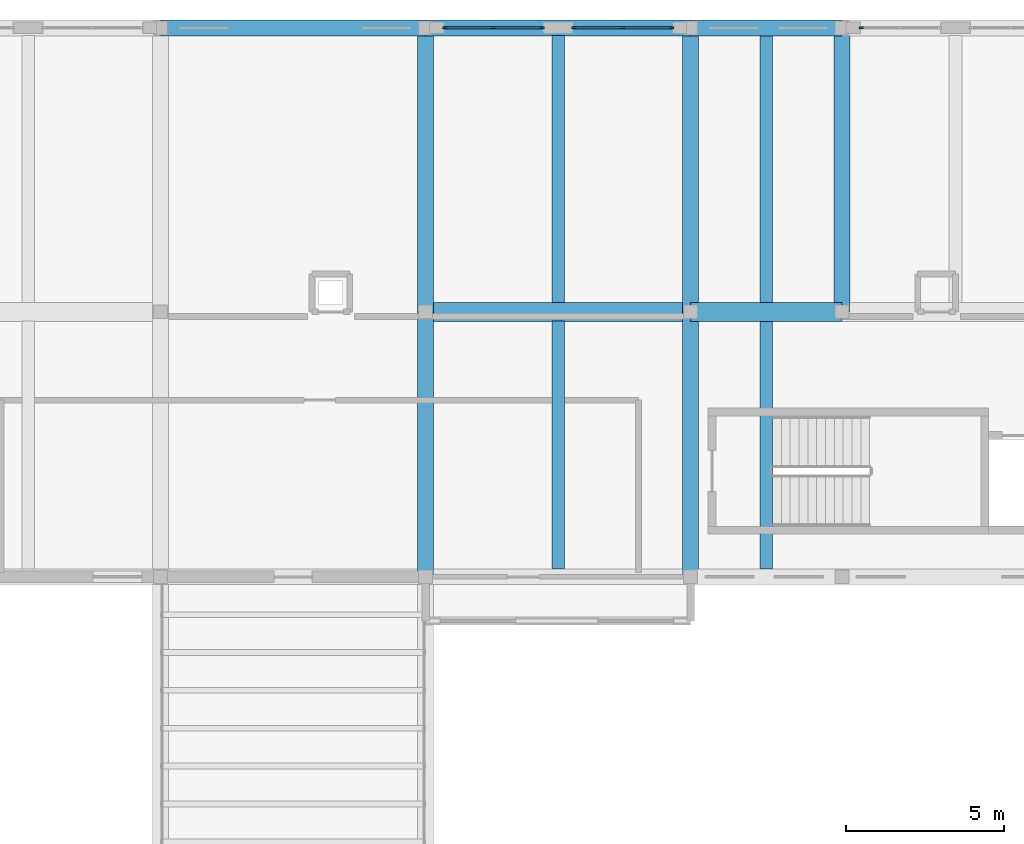
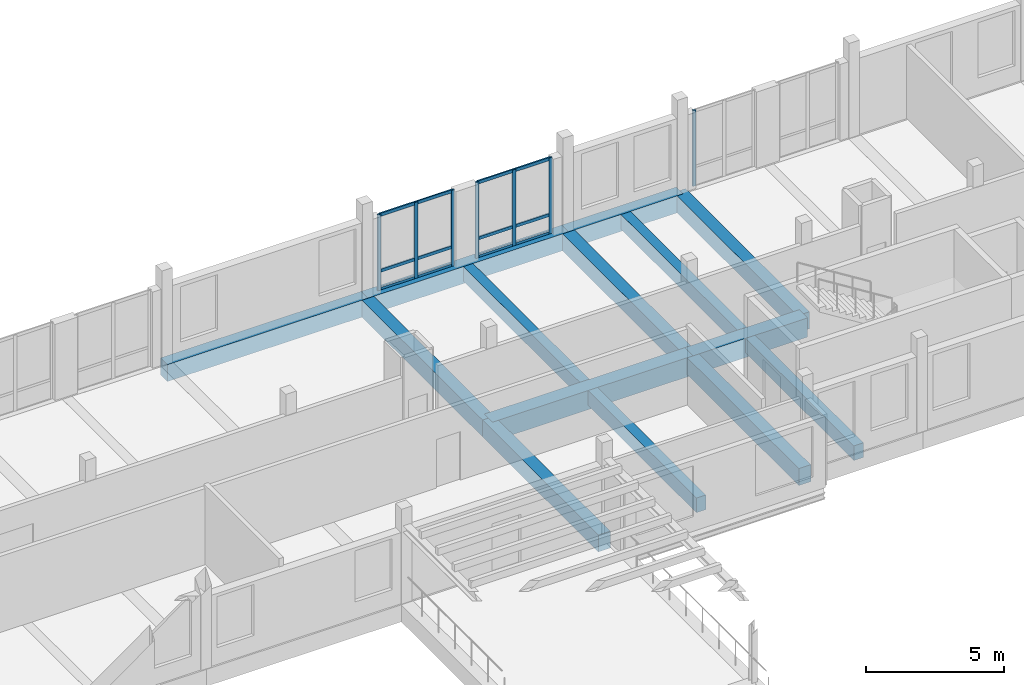
# One storey, part 36 of 99: 14 beams, 13 members, 3 elements without a shape of their own.
"""IFC4 building model written with IfcOpenShell, lengths in metres."""

import ifcopenshell
import ifcopenshell.guid

model = None  # the IFC model being written
_history = None  # IfcOwnerHistory: only IFC2X3 demands one
_inside = {}  # id of a spatial element -> (the spatial element, [elements in it])
_under = {}  # id of a project, library or spatial element -> (it, [spatial elements below it])
_declared = {}  # id of a project -> (the project, [libraries it declares])
_typed = {}  # id of a type object -> (the type object, [elements of that type])
_made_of = {}  # id of a material, layer set ... -> (it, [elements and type objects made of it])


def new_model(schema):
    """Start an empty IFC model of exactly this schema.

    Asked for "IFC4X3", IfcOpenShell would pick the latest addendum, in which some entities
    have other attributes; the version numbers below select the first issue.
    IFC2X3 requires an IfcOwnerHistory on every rooted entity: one is made here for all.
    """
    global model, _history
    if schema == "IFC4X3":
        model = ifcopenshell.file(schema_version=(4, 3, 0, 0))
    else:
        model = ifcopenshell.file(schema=schema)
    _inside.clear()
    _under.clear()
    _declared.clear()
    _typed.clear()
    _made_of.clear()
    _history = None
    if model.schema == "IFC2X3":
        org = make("IfcOrganization", Name="unknown")
        user = make(
            "IfcPersonAndOrganization",
            ThePerson=make("IfcPerson", FamilyName="unknown"),
            TheOrganization=org,
        )
        app = make(
            "IfcApplication",
            ApplicationDeveloper=org,
            Version="unknown",
            ApplicationFullName="unknown",
            ApplicationIdentifier="unknown",
        )
        _history = make(
            "IfcOwnerHistory",
            OwningUser=user,
            OwningApplication=app,
            ChangeAction="ADDED",
            CreationDate=0,
        )
    return model


def make(cls, **values):
    """One entity of the class cls with the attributes given. An attribute that is None is left unset."""
    return model.create_entity(
        cls, **{name: value for name, value in values.items() if value is not None}
    )


def rooted(cls, **values):
    """An entity with a GlobalId (a new one), such as an element, a storey or a relation."""
    return make(cls, GlobalId=ifcopenshell.guid.new(), OwnerHistory=_history, **values)


def si_unit(unit_type, name, prefix=None):
    """IfcSIUnit, for example si_unit("LENGTHUNIT", "METRE", prefix="MILLI")."""
    return make("IfcSIUnit", UnitType=unit_type, Prefix=prefix, Name=name)


def assignment(units):
    """IfcUnitAssignment: the units of a project."""
    return None if units is None else make("IfcUnitAssignment", Units=units)


def point(xyz):
    """IfcCartesianPoint."""
    return None if xyz is None else make("IfcCartesianPoint", Coordinates=xyz)


def direction(xyz):
    """IfcDirection."""
    return None if xyz is None else make("IfcDirection", DirectionRatios=xyz)


def frame(location, z_axis=None, x_axis=None):
    """IfcAxis2Placement3D, a coordinate frame: its origin and axes. An axis left out is left unset."""
    return make(
        "IfcAxis2Placement3D",
        Location=point(location),
        Axis=direction(z_axis),
        RefDirection=direction(x_axis),
    )


def frame_2d(location, x_axis=None):
    """IfcAxis2Placement2D, a coordinate frame in the plane: its origin and x axis."""
    return make(
        "IfcAxis2Placement2D", Location=point(location), RefDirection=direction(x_axis)
    )


def origin():
    """The frame at (0, 0, 0) with its axes left unset."""
    return frame((0.0, 0.0, 0.0))


def origin_2d():
    """The frame at (0, 0) in the plane with its x axis left unset."""
    return frame_2d((0.0, 0.0))


def place(relative_to, where):
    """IfcLocalPlacement: puts the frame where relative to a parent placement (None: the world)."""
    return make(
        "IfcLocalPlacement", PlacementRelTo=relative_to, RelativePlacement=where
    )


def context(
    kind, dimensions, precision=None, world=None, true_north=None, identifier=None
):
    """IfcGeometricRepresentationContext, for example the 3D "Model" context."""
    return make(
        "IfcGeometricRepresentationContext",
        ContextIdentifier=identifier,
        ContextType=kind,
        CoordinateSpaceDimension=dimensions,
        Precision=precision,
        WorldCoordinateSystem=world,
        TrueNorth=true_north,
    )


def subcontext(parent, identifier, kind, view, scale=None):
    """IfcGeometricRepresentationSubContext, for example "Body" below "Model"."""
    return make(
        "IfcGeometricRepresentationSubContext",
        ContextIdentifier=identifier,
        ContextType=kind,
        ParentContext=parent,
        TargetScale=scale,
        TargetView=view,
    )


def project(units=None, contexts=None):
    """IfcProject with its units and contexts."""
    return rooted(
        "IfcProject",
        Name="project",
        RepresentationContexts=contexts,
        UnitsInContext=assignment(units),
    )


def spatial(cls, under=None, at=None, **own):
    """A site, building, storey or space (cls), placed at a placement, below another one or the project."""
    s = rooted(cls, ObjectPlacement=at, **own)
    if under is not None:
        _under.setdefault(under.id(), (under, []))[1].append(s)
    return s


def profile(cls, at=None, kind="AREA", **sizes):
    """A parametric profile (cls). Its sizes go by their IFC names, for example OverallWidth=200.0."""
    return make(cls, ProfileType=kind, Position=at, **sizes)


def rectangle(**sizes):
    """IfcRectangleProfileDef."""
    return profile("IfcRectangleProfileDef", **sizes)


def extrude(swept, where, along, depth):
    """IfcExtrudedAreaSolid: the profile swept, set in the frame where, extruded along a direction by depth."""
    return make(
        "IfcExtrudedAreaSolid",
        SweptArea=swept,
        Position=where,
        ExtrudedDirection=direction(along),
        Depth=depth,
    )


def shape(context_of_items, identifier, shape_type, items):
    """IfcShapeRepresentation: the items that make up one representation, for example the "Body"."""
    return make(
        "IfcShapeRepresentation",
        ContextOfItems=context_of_items,
        RepresentationIdentifier=identifier,
        RepresentationType=shape_type,
        Items=items,
    )


def material(Name=None, Category=None):
    """IfcMaterial."""
    return make("IfcMaterial", Name=Name, Category=Category)


def material_profile(
    of_material, cross_section, Name=None, Category=None, Priority=None
):
    """IfcMaterialProfile: a cross section and its material."""
    return make(
        "IfcMaterialProfile",
        Name=Name,
        Material=of_material,
        Profile=cross_section,
        Priority=Priority,
        Category=Category,
    )


def profile_set(profiles, Name=None, composite=None):
    """IfcMaterialProfileSet."""
    return make(
        "IfcMaterialProfileSet",
        Name=Name,
        MaterialProfiles=profiles,
        CompositeProfile=composite,
    )


def made_of(thing, what):
    """Note that an element or type object is made of a material, layer set ...; save() writes the relation."""
    if what is not None:
        _made_of.setdefault(what.id(), (what, []))[1].append(thing)
    return thing


def type_object(cls, material=None, **own):
    """A type object (cls), such as IfcWallType, which elements share."""
    return made_of(rooted(cls, **own), material)


def element(
    cls,
    number,
    at=None,
    inside=None,
    cuts=None,
    type_object=None,
    material=None,
    context=None,
    identifier="Body",
    shape_type=None,
    held_by="IfcProductDefinitionShape",
    body=None,
    shapes=None,
    **own,
):
    """One element of the class cls, such as IfcWall. Its Tag is "e" and its number.

    at: its placement. inside: the storey or other place that contains it. cuts: it is an
    opening in that element (IfcRelVoidsElement). A single representation is given by context,
    identifier, shape_type and body (its items); several are given by shapes. held_by: the class
    of the entity that holds the representations. save() writes the other relations.
    """
    e = rooted(cls, Tag="e%d" % number, ObjectPlacement=at, **own)
    if body is not None:
        shapes = [shape(context, identifier, shape_type, body)]
    if shapes is not None:
        e.Representation = make(held_by, Representations=shapes)
    if inside is not None:
        _inside.setdefault(inside.id(), (inside, []))[1].append(e)
    if cuts is not None:
        rooted(
            "IfcRelVoidsElement", RelatingBuildingElement=cuts, RelatedOpeningElement=e
        )
    if type_object is not None:
        _typed.setdefault(type_object.id(), (type_object, []))[1].append(e)
    return made_of(e, material)


def aggregate(whole, parts):
    """IfcRelAggregates: a whole, such as a stair, and the parts it consists of."""
    return rooted("IfcRelAggregates", RelatingObject=whole, RelatedObjects=parts)


def save(model, path):
    """Write the relations noted so far, then the file.

    IfcRelAggregates (storeys below a building ...), IfcRelContainedInSpatialStructure (elements
    in a storey), IfcRelDefinesByType, IfcRelAssociatesMaterial and IfcRelDeclares: one each for
    every whole, place, type object, material and project.
    """
    for whole, parts in _under.values():
        aggregate(whole, parts)
    for where, things in _inside.values():
        rooted(
            "IfcRelContainedInSpatialStructure",
            RelatedElements=things,
            RelatingStructure=where,
        )
    for kind, things in _typed.values():
        rooted("IfcRelDefinesByType", RelatedObjects=things, RelatingType=kind)
    for what, things in _made_of.values():
        rooted("IfcRelAssociatesMaterial", RelatedObjects=things, RelatingMaterial=what)
    for by, libraries in _declared.values():
        rooted("IfcRelDeclares", RelatingContext=by, RelatedDefinitions=libraries)
    model.write(path)


model = new_model("IFC4")

# Units and contexts
model_context = context("Model", 3, precision=1e-05, world=origin(), true_north=direction((0.0, 1.0)))
body_context = subcontext(model_context, "Body", "Model", "MODEL_VIEW")
ifc_project = project(units=[si_unit("LENGTHUNIT", "METRE"), si_unit("AREAUNIT", "SQUARE_METRE"), si_unit("VOLUMEUNIT", "CUBIC_METRE"), si_unit("PLANEANGLEUNIT", "RADIAN"), si_unit("MASSUNIT", "GRAM", prefix="KILO")], contexts=[model_context])

# Site, building, storey
site_placement = place(None, origin())
site = spatial("IfcSite", under=ifc_project, at=site_placement, CompositionType="ELEMENT")
building_placement = place(site_placement, origin())
building = spatial("IfcBuilding", under=site, at=building_placement, Name="Kahlenmark Community Centre", CompositionType="ELEMENT")
storey_placement = place(building_placement, frame((0.0, 0.0, 5.39990234375)))
storey = spatial("IfcBuildingStorey", under=building, at=storey_placement, Name="L01", CompositionType="ELEMENT", Elevation=5.39990234375)

# Beams
ifc_material_1 = material(Name="Concrete C35/45", Category="concrete")
ifc_material_profile_1 = material_profile(ifc_material_1, rectangle(XDim=0.5, YDim=0.75, at=origin_2d()), Name="RC 500x750")
ifc_profile_set_1 = profile_set([ifc_material_profile_1], Name="Concrete C35/45")
beam_type_1 = type_object("IfcBeamType", Name="BT-BEAM-RC500x750", PredefinedType="BEAM", material=ifc_profile_set_1)
beam_1_placement = place(storey_placement, frame((37.60009765625, 97.60009765625, -0.375), z_axis=(0.0, 1.0, 0.0), x_axis=(-1.0, 0.0, 0.0)))
element("IfcBeam", 1, at=beam_1_placement, inside=storey, type_object=beam_type_1, Name="L01 beam BG-RC500x750", PredefinedType="BEAM", context=body_context, shape_type="SweptSolid", body=[
    extrude(rectangle(XDim=0.5, YDim=0.75, at=origin_2d()), origin(), (0.0, 0.0, 1.0), 8.39990234375),
])
beam_2_placement = place(storey_placement, frame((37.60009765625, 106.0, -0.375), z_axis=(0.0, 1.0, 0.0), x_axis=(-1.0, 0.0, 0.0)))
element("IfcBeam", 2, at=beam_2_placement, inside=storey, type_object=beam_type_1, Name="L01 beam BG-RC500x750", PredefinedType="BEAM", context=body_context, shape_type="SweptSolid", body=[
    extrude(rectangle(XDim=0.5, YDim=0.75, at=origin_2d()), origin(), (0.0, 0.0, 1.0), 9.0),
])
beam_3_placement = place(storey_placement, frame((46.0, 97.60009765625, -0.375), z_axis=(0.0, 1.0, 0.0), x_axis=(-1.0, 0.0, 0.0)))
element("IfcBeam", 3, at=beam_3_placement, inside=storey, type_object=beam_type_1, Name="L01 beam BG-RC500x750", PredefinedType="BEAM", context=body_context, shape_type="SweptSolid", body=[
    extrude(rectangle(XDim=0.5, YDim=0.75, at=origin_2d()), origin(), (0.0, 0.0, 1.0), 8.39990234375),
])
for number, where, z_axis, x_axis, name in (
    (4, (46.0, 106.0, -0.375), (0.0, 1.0, 0.0), (-1.0, 0.0, 0.0), "L01 beam BG-RC500x750"),
    (5, (50.800048828125, 106.0, -0.375), (0.0, 1.0, 0.0), (-1.0, 0.0, 0.0), "L01 beam BG-RC500x750"),
):
    element("IfcBeam", number, at=place(storey_placement, frame(where, z_axis=z_axis, x_axis=x_axis)), inside=storey, type_object=beam_type_1, Name=name, PredefinedType="BEAM", context=body_context, shape_type="SweptSolid", body=[
        extrude(rectangle(XDim=0.5, YDim=0.75, at=origin_2d()), origin(), (0.0, 0.0, 1.0), 9.0),
    ])
ifc_material_profile_2 = material_profile(ifc_material_1, rectangle(XDim=0.60009765625, YDim=0.85009765625, at=origin_2d()), Name="RC 600x850")
ifc_profile_set_2 = profile_set([ifc_material_profile_2], Name="Concrete C35/45")
beam_type_2 = type_object("IfcBeamType", Name="BT-BEAM-RC600x850", PredefinedType="BEAM", material=ifc_profile_set_2)
beam_4_placement = place(storey_placement, frame((37.60009765625, 106.0, -0.4248046875), z_axis=(1.0, 0.0, 0.0), x_axis=(0.0, 1.0, 0.0)))
element("IfcBeam", 6, at=beam_4_placement, inside=storey, type_object=beam_type_2, Name="L01 beam BG-RC600x850", PredefinedType="BEAM", context=body_context, shape_type="SweptSolid", body=[
    extrude(rectangle(XDim=0.60009765625, YDim=0.85009765625, at=origin_2d()), origin(), (0.0, 0.0, 1.0), 8.39990234375),
])
beam_5_placement = place(storey_placement, frame((46.0, 106.0, -0.4248046875), z_axis=(1.0, 0.0, 0.0), x_axis=(0.0, 1.0, 0.0)))
element("IfcBeam", 7, at=beam_5_placement, inside=storey, type_object=beam_type_2, Name="L01 beam BG-RC600x850", PredefinedType="BEAM", context=body_context, shape_type="SweptSolid", body=[
    extrude(rectangle(XDim=0.60009765625, YDim=0.85009765625, at=origin_2d()), origin(), (0.0, 0.0, 1.0), 4.800048828125),
])
ifc_material_profile_3 = material_profile(ifc_material_1, rectangle(XDim=0.39990234375, YDim=0.64990234375, at=origin_2d()), Name="RC 400x650")
ifc_profile_set_3 = profile_set([ifc_material_profile_3], Name="Concrete C35/45")
beam_type_3 = type_object("IfcBeamType", Name="BT-JOIST-RC400x650", PredefinedType="JOIST", material=ifc_profile_set_3)
beam_6_placement = place(storey_placement, frame((41.800048828125, 97.847900390625, -0.324951171875), z_axis=(0.0, 1.0, 0.0), x_axis=(-1.0, 0.0, 0.0)))
element("IfcBeam", 8, at=beam_6_placement, inside=storey, type_object=beam_type_3, Name="L01 joist BJ-RC400x650", PredefinedType="JOIST", context=body_context, shape_type="SweptSolid", body=[
    extrude(rectangle(XDim=0.39990234375, YDim=0.64990234375, at=origin_2d()), origin(), (0.0, 0.0, 1.0), 7.85400390625),
])
beam_7_placement = place(storey_placement, frame((41.800048828125, 106.298095703125, -0.324951171875), z_axis=(0.0, 1.0, 0.0), x_axis=(-1.0, 0.0, 0.0)))
element("IfcBeam", 9, at=beam_7_placement, inside=storey, type_object=beam_type_3, Name="L01 joist BJ-RC400x650", PredefinedType="JOIST", context=body_context, shape_type="SweptSolid", body=[
    extrude(rectangle(XDim=0.39990234375, YDim=0.64990234375, at=origin_2d()), origin(), (0.0, 0.0, 1.0), 8.453857421875),
])
beam_8_placement = place(storey_placement, frame((48.39990234375, 97.847900390625, -0.324951171875), z_axis=(0.0, 1.0, 0.0), x_axis=(-1.0, 0.0, 0.0)))
element("IfcBeam", 10, at=beam_8_placement, inside=storey, type_object=beam_type_3, Name="L01 joist BJ-RC400x650", PredefinedType="JOIST", context=body_context, shape_type="SweptSolid", body=[
    extrude(rectangle(XDim=0.39990234375, YDim=0.64990234375, at=origin_2d()), origin(), (0.0, 0.0, 1.0), 7.85400390625),
])
beam_9_placement = place(storey_placement, frame((48.39990234375, 106.298095703125, -0.324951171875), z_axis=(0.0, 1.0, 0.0), x_axis=(-1.0, 0.0, 0.0)))
element("IfcBeam", 11, at=beam_9_placement, inside=storey, type_object=beam_type_3, Name="L01 joist BJ-RC400x650", PredefinedType="JOIST", context=body_context, shape_type="SweptSolid", body=[
    extrude(rectangle(XDim=0.39990234375, YDim=0.64990234375, at=origin_2d()), origin(), (0.0, 0.0, 1.0), 8.453857421875),
])
ifc_material_profile_4 = material_profile(ifc_material_1, rectangle(XDim=0.5, YDim=0.75, at=origin_2d()), Name="RC 500x750")
ifc_profile_set_4 = profile_set([ifc_material_profile_4], Name="Concrete C35/45")
beam_type_4 = type_object("IfcBeamType", Name="BT-SPANDREL-RC500x750", PredefinedType="SPANDREL", material=ifc_profile_set_4)
beam_10_placement = place(storey_placement, frame((29.199951171875, 115.0, -0.375), z_axis=(1.0, 0.0, 0.0), x_axis=(0.0, 1.0, 0.0)))
element("IfcBeam", 12, at=beam_10_placement, inside=storey, type_object=beam_type_4, Name="L01 spandrel SP-RC500x750", PredefinedType="SPANDREL", context=body_context, shape_type="SweptSolid", body=[
    extrude(rectangle(XDim=0.5, YDim=0.75, at=origin_2d()), origin(), (0.0, 0.0, 1.0), 8.400146484375),
])
beam_11_placement = place(storey_placement, frame((37.60009765625, 115.0, -0.375), z_axis=(1.0, 0.0, 0.0), x_axis=(0.0, 1.0, 0.0)))
element("IfcBeam", 13, at=beam_11_placement, inside=storey, type_object=beam_type_4, Name="L01 spandrel SP-RC500x750", PredefinedType="SPANDREL", context=body_context, shape_type="SweptSolid", body=[
    extrude(rectangle(XDim=0.5, YDim=0.75, at=origin_2d()), origin(), (0.0, 0.0, 1.0), 8.39990234375),
])
beam_12_placement = place(storey_placement, frame((46.0, 115.0, -0.375), z_axis=(1.0, 0.0, 0.0), x_axis=(0.0, 1.0, 0.0)))
element("IfcBeam", 14, at=beam_12_placement, inside=storey, type_object=beam_type_4, Name="L01 spandrel SP-RC500x750", PredefinedType="SPANDREL", context=body_context, shape_type="SweptSolid", body=[
    extrude(rectangle(XDim=0.5, YDim=0.75, at=origin_2d()), origin(), (0.0, 0.0, 1.0), 4.800048828125),
])

# Curtain wall, members
ifc_material_2 = material(Name="Anodised aluminium unitised curtain wall", Category="aluminium")
curtain_wall_type_1 = type_object("IfcCurtainWallType", Name="CWT-UNIT-314X337", PredefinedType="USERDEFINED", material=ifc_material_2)
curtain_wall_1_placement = place(storey_placement, origin())
curtain_wall_1 = element("IfcCurtainWall", 15, at=curtain_wall_1_placement, inside=storey, type_object=curtain_wall_type_1, Name="Unitised curtain wall CW-034", ObjectType="UNITISED CURTAIN WALL", PredefinedType="USERDEFINED")
ifc_material_3 = material(Name="Anodised aluminium 6063-T6", Category="aluminium")
ifc_material_profile_5 = material_profile(ifc_material_3, rectangle(XDim=0.06005859375, YDim=0.139892578125, at=origin_2d()), Name="ALU MULLION 60x140")
ifc_profile_set_5 = profile_set([ifc_material_profile_5], Name="Anodised aluminium 6063-T6")
member_type_1 = type_object("IfcMemberType", Name="MT-MUL-140", PredefinedType="MULLION", material=ifc_profile_set_5)
member_1_placement = place(storey_placement, frame((45.389892578125, 115.0, 0.0), z_axis=(0.0, 0.0, 1.0), x_axis=(0.0, -1.0, 0.0)))
member_1 = element("IfcMember", 16, at=member_1_placement, type_object=member_type_1, Name="CW-034 mullion 1", PredefinedType="MULLION", context=body_context, shape_type="SweptSolid", body=[
    extrude(rectangle(XDim=0.06005859375, YDim=0.139892578125, at=origin_2d()), origin(), (0.0, 0.0, 1.0), 3.3701171875),
])
member_2_placement = place(storey_placement, frame((43.85009765625, 115.0, 0.0), z_axis=(0.0, 0.0, 1.0), x_axis=(0.0, -1.0, 0.0)))
member_2 = element("IfcMember", 17, at=member_2_placement, type_object=member_type_1, Name="CW-034 mullion 2", PredefinedType="MULLION", context=body_context, shape_type="SweptSolid", body=[
    extrude(rectangle(XDim=0.06005859375, YDim=0.139892578125, at=origin_2d()), origin(), (0.0, 0.0, 1.0), 3.3701171875),
])
member_3_placement = place(storey_placement, frame((42.31005859375, 115.0, 0.0), z_axis=(0.0, 0.0, 1.0), x_axis=(0.0, -1.0, 0.0)))
member_3 = element("IfcMember", 18, at=member_3_placement, type_object=member_type_1, Name="CW-034 mullion 3", PredefinedType="MULLION", context=body_context, shape_type="SweptSolid", body=[
    extrude(rectangle(XDim=0.06005859375, YDim=0.139892578125, at=origin_2d()), origin(), (0.0, 0.0, 1.0), 3.3701171875),
])

curtain_wall_2_placement = place(storey_placement, origin())
curtain_wall_2 = element("IfcCurtainWall", 19, at=curtain_wall_2_placement, inside=storey, type_object=curtain_wall_type_1, Name="Unitised curtain wall CW-035", ObjectType="UNITISED CURTAIN WALL", PredefinedType="USERDEFINED")
member_4_placement = place(storey_placement, frame((41.2900390625, 115.0, 0.0), z_axis=(0.0, 0.0, 1.0), x_axis=(0.0, -1.0, 0.0)))
member_4 = element("IfcMember", 20, at=member_4_placement, type_object=member_type_1, Name="CW-035 mullion 1", PredefinedType="MULLION", context=body_context, shape_type="SweptSolid", body=[
    extrude(rectangle(XDim=0.06005859375, YDim=0.139892578125, at=origin_2d()), origin(), (0.0, 0.0, 1.0), 3.3701171875),
])
member_5_placement = place(storey_placement, frame((39.75, 115.0, 0.0), z_axis=(0.0, 0.0, 1.0), x_axis=(0.0, -1.0, 0.0)))
member_5 = element("IfcMember", 21, at=member_5_placement, type_object=member_type_1, Name="CW-035 mullion 2", PredefinedType="MULLION", context=body_context, shape_type="SweptSolid", body=[
    extrude(rectangle(XDim=0.06005859375, YDim=0.139892578125, at=origin_2d()), origin(), (0.0, 0.0, 1.0), 3.3701171875),
])
member_6_placement = place(storey_placement, frame((38.2099609375, 115.0, 0.0), z_axis=(0.0, 0.0, 1.0), x_axis=(0.0, -1.0, 0.0)))
member_6 = element("IfcMember", 22, at=member_6_placement, type_object=member_type_1, Name="CW-035 mullion 3", PredefinedType="MULLION", context=body_context, shape_type="SweptSolid", body=[
    extrude(rectangle(XDim=0.06005859375, YDim=0.139892578125, at=origin_2d()), origin(), (0.0, 0.0, 1.0), 3.3701171875),
])

# Curtain wall, member
curtain_wall_type_2 = type_object("IfcCurtainWallType", Name="CWT-UNIT-254X337", PredefinedType="USERDEFINED", material=ifc_material_2)
curtain_wall_3_placement = place(storey_placement, origin())
curtain_wall_3 = element("IfcCurtainWall", 23, at=curtain_wall_3_placement, inside=storey, type_object=curtain_wall_type_2, Name="Unitised curtain wall CW-037", ObjectType="UNITISED CURTAIN WALL", PredefinedType="USERDEFINED")
member_7_placement = place(storey_placement, frame((51.409912109375, 115.0, 0.0), z_axis=(0.0, 0.0, 1.0), x_axis=(0.0, -1.0, 0.0)))
member_7 = element("IfcMember", 24, at=member_7_placement, type_object=member_type_1, Name="CW-037 mullion 3", PredefinedType="MULLION", context=body_context, shape_type="SweptSolid", body=[
    extrude(rectangle(XDim=0.06005859375, YDim=0.139892578125, at=origin_2d()), origin(), (0.0, 0.0, 1.0), 3.3701171875),
])
aggregate(curtain_wall_3, [member_7])

# Member
ifc_material_profile_6 = material_profile(ifc_material_3, rectangle(XDim=0.06005859375, YDim=0.139892578125, at=origin_2d()), Name="ALU TRANSOM 60x140")
ifc_profile_set_6 = profile_set([ifc_material_profile_6], Name="Anodised aluminium 6063-T6")
member_type_2 = type_object("IfcMemberType", Name="MT-TRN-140", PredefinedType="USERDEFINED", material=ifc_profile_set_6)
member_8_placement = place(storey_placement, frame((45.389892578125, 115.0, 0.0400390625), z_axis=(-1.0, 0.0, 0.0), x_axis=(0.0, -1.0, 0.0)))
member_8 = element("IfcMember", 25, at=member_8_placement, type_object=member_type_2, Name="CW-034 transom 1", ObjectType="TRANSOM", PredefinedType="USERDEFINED", context=body_context, shape_type="SweptSolid", body=[
    extrude(rectangle(XDim=0.06005859375, YDim=0.139892578125, at=origin_2d()), origin(), (0.0, 0.0, 1.0), 3.079833984375),
])

member_9_placement = place(storey_placement, frame((45.389892578125, 115.0, 0.85009765625), z_axis=(-1.0, 0.0, 0.0), x_axis=(0.0, -1.0, 0.0)))
member_9 = element("IfcMember", 26, at=member_9_placement, type_object=member_type_2, Name="CW-034 transom 2", ObjectType="TRANSOM", PredefinedType="USERDEFINED", context=body_context, shape_type="SweptSolid", body=[
    extrude(rectangle(XDim=0.06005859375, YDim=0.139892578125, at=origin_2d()), origin(), (0.0, 0.0, 1.0), 3.079833984375),
])

member_10_placement = place(storey_placement, frame((45.389892578125, 115.0, 3.330078125), z_axis=(-1.0, 0.0, 0.0), x_axis=(0.0, -1.0, 0.0)))
member_10 = element("IfcMember", 27, at=member_10_placement, type_object=member_type_2, Name="CW-034 transom 3", ObjectType="TRANSOM", PredefinedType="USERDEFINED", context=body_context, shape_type="SweptSolid", body=[
    extrude(rectangle(XDim=0.06005859375, YDim=0.139892578125, at=origin_2d()), origin(), (0.0, 0.0, 1.0), 3.079833984375),
])

aggregate(curtain_wall_1, [member_1, member_2, member_3, member_8, member_9, member_10])

member_11_placement = place(storey_placement, frame((41.2900390625, 115.0, 0.0400390625), z_axis=(-1.0, 0.0, 0.0), x_axis=(0.0, -1.0, 0.0)))
member_11 = element("IfcMember", 28, at=member_11_placement, type_object=member_type_2, Name="CW-035 transom 1", ObjectType="TRANSOM", PredefinedType="USERDEFINED", context=body_context, shape_type="SweptSolid", body=[
    extrude(rectangle(XDim=0.06005859375, YDim=0.139892578125, at=origin_2d()), origin(), (0.0, 0.0, 1.0), 3.080078125),
])

member_12_placement = place(storey_placement, frame((41.2900390625, 115.0, 0.85009765625), z_axis=(-1.0, 0.0, 0.0), x_axis=(0.0, -1.0, 0.0)))
member_12 = element("IfcMember", 29, at=member_12_placement, type_object=member_type_2, Name="CW-035 transom 2", ObjectType="TRANSOM", PredefinedType="USERDEFINED", context=body_context, shape_type="SweptSolid", body=[
    extrude(rectangle(XDim=0.06005859375, YDim=0.139892578125, at=origin_2d()), origin(), (0.0, 0.0, 1.0), 3.080078125),
])

member_13_placement = place(storey_placement, frame((41.2900390625, 115.0, 3.330078125), z_axis=(-1.0, 0.0, 0.0), x_axis=(0.0, -1.0, 0.0)))
member_13 = element("IfcMember", 30, at=member_13_placement, type_object=member_type_2, Name="CW-035 transom 3", ObjectType="TRANSOM", PredefinedType="USERDEFINED", context=body_context, shape_type="SweptSolid", body=[
    extrude(rectangle(XDim=0.06005859375, YDim=0.139892578125, at=origin_2d()), origin(), (0.0, 0.0, 1.0), 3.080078125),
])

aggregate(curtain_wall_2, [member_4, member_5, member_6, member_11, member_12, member_13])

save(model, "model.ifc")
